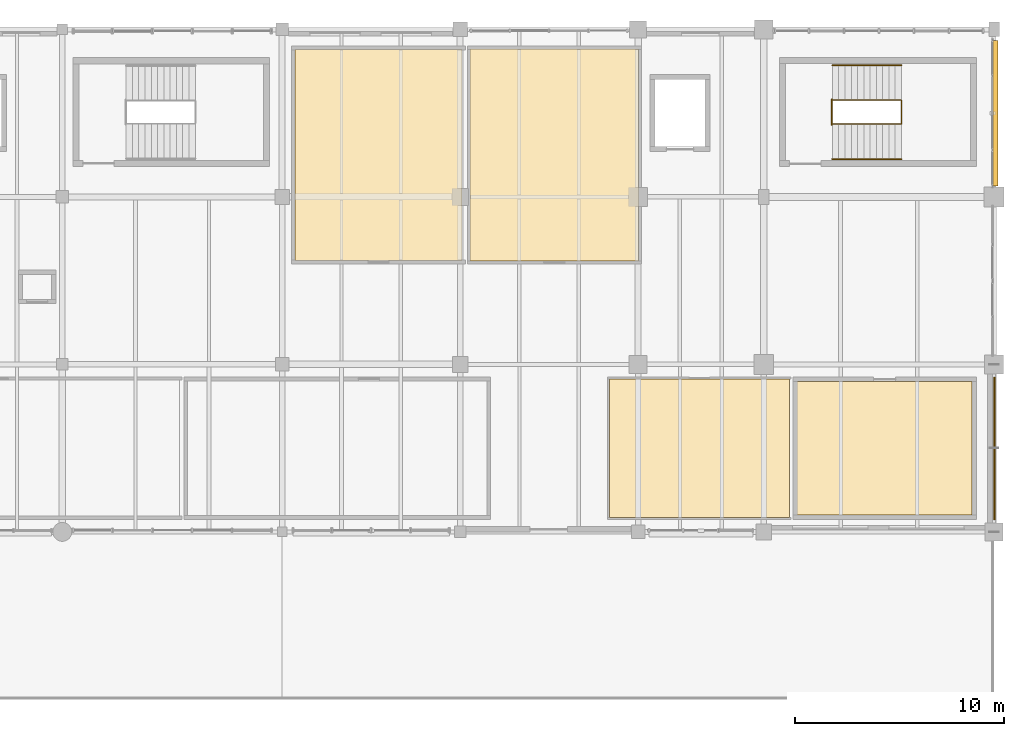
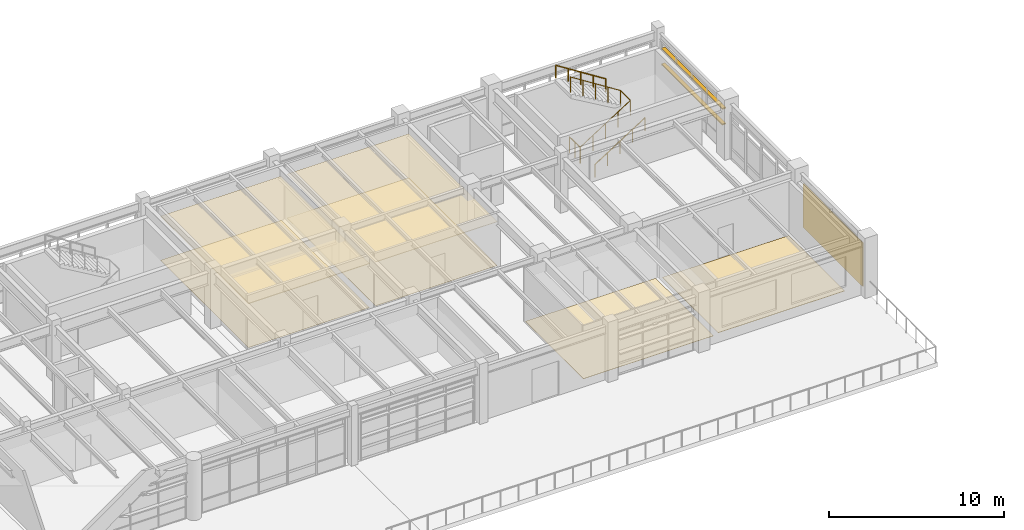
# One storey, part 56 of 56: 7 coverings, 4 railings, 2 shading devices.
"""IFC4 building model written with IfcOpenShell, lengths in metres."""

from ifc_helpers import new_model, si_unit, direction, frame, origin, origin_2d, place, context, subcontext, project, spatial, polyline, rectangle, circle, outline, extrude, material, layer, layer_set, type_object, element, save


model = new_model("IFC4")

# Units and contexts
model_context = context("Model", 3, precision=1e-05, world=origin(), true_north=direction((0.0, 1.0)))
body_context = subcontext(model_context, "Body", "Model", "MODEL_VIEW")
ifc_project = project(units=[si_unit("LENGTHUNIT", "METRE"), si_unit("AREAUNIT", "SQUARE_METRE"), si_unit("VOLUMEUNIT", "CUBIC_METRE"), si_unit("PLANEANGLEUNIT", "RADIAN"), si_unit("MASSUNIT", "GRAM", prefix="KILO"), si_unit("THERMODYNAMICTEMPERATUREUNIT", "KELVIN"), si_unit("POWERUNIT", "WATT")], contexts=[model_context])

# Site, building, storey
site_placement = place(None, origin())
site = spatial("IfcSite", under=ifc_project, at=site_placement, CompositionType="ELEMENT")
building_placement = place(site_placement, origin())
building = spatial("IfcBuilding", under=site, at=building_placement, Name="Tepalcoro Natatorium and Aquatics Centre", CompositionType="ELEMENT")
storey_placement = place(building_placement, frame((0.0, 0.0, 14.800048828125)))
storey = spatial("IfcBuildingStorey", under=building, at=storey_placement, Name="L03", CompositionType="ELEMENT", Elevation=14.800048828125)

# Coverings
ifc_material_1 = material(Name="Jalisco Cantera Rosa Volcanic Tuff Ashlar Masonry", Category="masonry")
ifc_layer_1 = layer(ifc_material_1, 0.06005859375)
ifc_layer_set_1 = layer_set([ifc_layer_1], Name="Jalisco Cantera Rosa Volcanic Tuff Ashlar Masonry")
covering_type_1 = type_object("IfcCoveringType", Name="CD_CANTERA_60", PredefinedType="CLADDING", material=ifc_layer_set_1)
covering_1_placement = place(storey_placement, frame((176.02490234375, 97.987548828125, 0.10009765625), z_axis=(0.0, 0.0, 1.0), x_axis=(1.0, 0.0, 0.0)))
element("IfcCovering", 1, at=covering_1_placement, inside=storey, type_object=covering_type_1, Name="Volcanic Stone Facade Cladding CD_CANTERA_60", PredefinedType="CLADDING", context=body_context, shape_type="SweptSolid", body=[
    extrude(rectangle(XDim=0.06005859375, YDim=6.81689453125, at=origin_2d()), origin(), (0.0, 0.0, 1.0), 3.053955078125),
])
ifc_material_2 = material(Name="Perforated Corrosion-Resistant Acoustic Aluminium Baffle Ceiling", Category="aluminium")
ifc_layer_2 = layer(ifc_material_2, 0.044921875)
ifc_layer_set_2 = layer_set([ifc_layer_2], Name="Perforated Corrosion-Resistant Acoustic Aluminium Baffle Ceiling")
covering_type_2 = type_object("IfcCoveringType", Name="CL_BAFFLE_120", PredefinedType="CEILING", material=ifc_layer_set_2)
covering_2_placement = place(storey_placement, frame((0.0, 0.0, 3.050048828125)))
element("IfcCovering", 2, at=covering_2_placement, inside=storey, type_object=covering_type_2, Name="Research Fellows Workspace & Data Seminar Room Suspended Ceiling", PredefinedType="CEILING", context=body_context, shape_type="SweptSolid", body=[
    extrude(outline(polyline([(142.610107421875, 106.969970703125), (142.610107421875, 117.030029296875), (150.590087890625, 117.030029296875), (150.590087890625, 106.969970703125), (142.610107421875, 106.969970703125)])), origin(), (0.0, 0.0, 1.0), 0.044921875),
])
ifc_material_3 = material(Name="Moisture-Resistant Acoustic Gypsum Drywall on Cold-Formed Metal Studs")
ifc_layer_3 = layer(ifc_material_3, 0.030029296875)
ifc_layer_set_3 = layer_set([ifc_layer_3], Name="Moisture-Resistant Acoustic Gypsum Drywall on Cold-Formed Metal Studs")
covering_type_3 = type_object("IfcCoveringType", Name="CL_GYPSUM_30", PredefinedType="CEILING", material=ifc_layer_set_3)
covering_3_placement = place(storey_placement, frame((0.0, 0.0, 3.050048828125)))
element("IfcCovering", 3, at=covering_3_placement, inside=storey, type_object=covering_type_3, Name="Calibration & Biomedical Instrument Store Suspended Ceiling", PredefinedType="CEILING", context=body_context, shape_type="SweptSolid", body=[
    extrude(outline(polyline([(150.97998046875, 106.93994140625), (150.97998046875, 117.06005859375), (159.02001953125, 117.06005859375), (159.02001953125, 106.93994140625), (150.97998046875, 106.93994140625)])), origin(), (0.0, 0.0, 1.0), 0.02978515625),
])
ifc_material_4 = material(Name="Shock-Absorbing Vulcanised Athletic Rubber Flooring")
ifc_layer_4 = layer(ifc_material_4, 0.010009765625)
ifc_layer_set_4 = layer_set([ifc_layer_4], Name="Shock-Absorbing Vulcanised Athletic Rubber Flooring")
covering_type_4 = type_object("IfcCoveringType", Name="FL_CARPET_10", PredefinedType="FLOORING", material=ifc_layer_set_4)
covering_4_placement = place(storey_placement, origin())
element("IfcCovering", 4, at=covering_4_placement, inside=storey, type_object=covering_type_4, Name="Calibration & Biomedical Instrument Store Floor Finish", PredefinedType="FLOORING", context=body_context, shape_type="SweptSolid", body=[
    extrude(outline(polyline([(150.97998046875, 106.93994140625), (150.97998046875, 117.06005859375), (159.02001953125, 117.06005859375), (159.02001953125, 106.93994140625), (150.97998046875, 106.93994140625)])), origin(), (0.0, 0.0, 1.0), 0.010009765625),
])
ifc_material_5 = material(Name="Slip-Resistant Porcelain Aquatic Deck Tile")
ifc_layer_5 = layer(ifc_material_5, 0.02197265625)
ifc_layer_set_5 = layer_set([ifc_layer_5], Name="Slip-Resistant Porcelain Aquatic Deck Tile")
covering_type_5 = type_object("IfcCoveringType", Name="FL_DECK_TILE_22", PredefinedType="FLOORING", material=ifc_layer_set_5)
covering_5_placement = place(storey_placement, origin())
element("IfcCovering", 5, at=covering_5_placement, inside=storey, type_object=covering_type_5, Name="Sports Nutrition Teaching Kitchen & Dining Studio Floor Finish", PredefinedType="FLOORING", context=body_context, shape_type="SweptSolid", body=[
    extrude(outline(polyline([(157.6298828125, 94.68994140625), (157.6298828125, 101.31005859375), (166.219970703125, 101.31005859375), (166.219970703125, 94.68994140625), (157.6298828125, 94.68994140625)])), origin(), (0.0, 0.0, 1.0), 0.02197265625),
])
ifc_material_6 = material(Name="Chemical-Resistant Quartz-Broadcast Epoxy Flooring")
ifc_layer_6 = layer(ifc_material_6, 0.008056640625)
ifc_layer_set_6 = layer_set([ifc_layer_6], Name="Chemical-Resistant Quartz-Broadcast Epoxy Flooring")
covering_type_6 = type_object("IfcCoveringType", Name="FL_EPOXY_8", PredefinedType="FLOORING", material=ifc_layer_set_6)
covering_6_placement = place(storey_placement, origin())
element("IfcCovering", 6, at=covering_6_placement, inside=storey, type_object=covering_type_6, Name="Research Fellows Workspace & Data Seminar Room Floor Finish", PredefinedType="FLOORING", context=body_context, shape_type="SweptSolid", body=[
    extrude(outline(polyline([(142.610107421875, 106.969970703125), (142.610107421875, 117.030029296875), (150.590087890625, 117.030029296875), (150.590087890625, 106.969970703125), (142.610107421875, 106.969970703125)])), origin(), (0.0, 0.0, 1.0), 0.008056640625),
])
ifc_material_7 = material(Name="Sprung Maple Sports Floor Assembly")
ifc_layer_7 = layer(ifc_material_7, 0.02392578125)
ifc_layer_set_7 = layer_set([ifc_layer_7], Name="Sprung Maple Sports Floor Assembly")
covering_type_7 = type_object("IfcCoveringType", Name="FL_WOOD_22", PredefinedType="FLOORING", material=ifc_layer_set_7)
covering_7_placement = place(storey_placement, origin())
element("IfcCovering", 7, at=covering_7_placement, inside=storey, type_object=covering_type_7, Name="L03 Sports Science Male/Female & Accessible WC Floor Finish", PredefinedType="FLOORING", context=body_context, shape_type="SweptSolid", body=[
    extrude(outline(polyline([(166.60009765625, 94.81005859375), (166.60009765625, 101.18994140625), (174.949951171875, 101.18994140625), (174.949951171875, 94.81005859375), (166.60009765625, 94.81005859375)])), origin(), (0.0, 0.0, 1.0), 0.02392578125),
])

# Railings
ifc_material_8 = material(Name="Bronze-Anodised Extruded Aluminium Alloy EN AW-6063 T6", Category="aluminium")
railing_type_1 = type_object("IfcRailingType", Name="RL_HAND_900_BRZ", PredefinedType="HANDRAIL", material=ifc_material_8)
railing_1_placement = place(storey_placement, frame((168.280029296875, 111.81005859375, 0.0)))
element("IfcRailing", 8, at=railing_1_placement, inside=storey, type_object=railing_type_1, Name="ST10-L03 Wall Handrail F1", PredefinedType="HANDRAIL", context=body_context, shape_type="SweptSolid", body=[
    extrude(circle(Radius=0.02392578125, at=origin_2d()), frame((0.0, 0.0, 0.8759765625), z_axis=(0.843682047799, 0.0, 0.53684318215), x_axis=(0.0, 1.0, 0.0)), (0.0, 0.0, 1.0), 3.911376953125),
    extrude(circle(Radius=0.02099609375, at=origin_2d()), origin(), (0.0, 0.0, 1.0), 0.851806640625),
    extrude(circle(Radius=0.02099609375, at=origin_2d()), frame((0.824951171875, 0.0, 0.52490234375)), (0.0, 0.0, 1.0), 0.851806640625),
    extrude(circle(Radius=0.02099609375, at=origin_2d()), frame((1.64990234375, 0.0, 1.0498046875)), (0.0, 0.0, 1.0), 0.851806640625),
    extrude(circle(Radius=0.02099609375, at=origin_2d()), frame((2.47509765625, 0.0, 1.574951171875)), (0.0, 0.0, 1.0), 0.851806640625),
    extrude(circle(Radius=0.02099609375, at=origin_2d()), frame((3.300048828125, 0.0, 2.099853515625)), (0.0, 0.0, 1.0), 0.851806640625),
])
railing_2_placement = place(storey_placement, frame((171.580078125, 116.2900390625, 2.099853515625)))
element("IfcRailing", 9, at=railing_2_placement, inside=storey, type_object=railing_type_1, Name="ST10-L03 Wall Handrail F2", PredefinedType="HANDRAIL", context=body_context, shape_type="SweptSolid", body=[
    extrude(circle(Radius=0.02392578125, at=origin_2d()), frame((0.0, 0.0, 0.8759765625), z_axis=(-0.843653777646, 0.0, 0.53688760785), x_axis=(0.0, -1.0, 0.0)), (0.0, 0.0, 1.0), 3.91162109375),
    extrude(circle(Radius=0.02099609375, at=origin_2d()), origin(), (0.0, 0.0, 1.0), 0.851806640625),
    extrude(circle(Radius=0.02099609375, at=origin_2d()), frame((-0.824951171875, 0.0, 0.52490234375)), (0.0, 0.0, 1.0), 0.851806640625),
    extrude(circle(Radius=0.02099609375, at=origin_2d()), frame((-1.64990234375, 0.0, 1.050048828125)), (0.0, 0.0, 1.0), 0.851806640625),
    extrude(circle(Radius=0.02099609375, at=origin_2d()), frame((-2.47509765625, 0.0, 1.5751953125)), (0.0, 0.0, 1.0), 0.851806640625),
    extrude(circle(Radius=0.02099609375, at=origin_2d()), frame((-3.300048828125, 0.0, 2.10009765625)), (0.0, 0.0, 1.0), 0.851806640625),
])
ifc_material_9 = material(Name="Marine-Grade Brushed Stainless Steel AISI 316L", Category="steel")
railing_type_2 = type_object("IfcRailingType", Name="RL_SS_1100", PredefinedType="GUARDRAIL", material=ifc_material_9)
railing_3_placement = place(storey_placement, frame((168.280029296875, 113.47998046875, 0.0)))
element("IfcRailing", 10, at=railing_3_placement, inside=storey, type_object=railing_type_2, Name="ST10-L03 Inner Stairwell Guardrail", PredefinedType="GUARDRAIL", context=body_context, shape_type="SweptSolid", body=[
    extrude(circle(Radius=0.02392578125, at=origin_2d()), frame((0.0, 0.0, 1.076171875), z_axis=(0.843682047799, 0.0, 0.53684318215), x_axis=(0.0, 1.0, 0.0)), (0.0, 0.0, 1.0), 3.911376953125),
    extrude(circle(Radius=0.02392578125, at=origin_2d()), frame((3.300048828125, 0.0, 3.17578125), z_axis=(0.0, 1.0, 0.0), x_axis=(-1.0, 0.0, 0.0)), (0.0, 0.0, 1.0), 1.14013671875),
    extrude(circle(Radius=0.02392578125, at=origin_2d()), frame((3.300048828125, 1.14013671875, 3.17578125), z_axis=(-0.843653777646, 0.0, 0.53688760785), x_axis=(0.0, -1.0, 0.0)), (0.0, 0.0, 1.0), 3.91162109375),
    extrude(circle(Radius=0.02099609375, at=origin_2d()), origin(), (0.0, 0.0, 1.0), 1.052001953125),
    extrude(circle(Radius=0.02099609375, at=origin_2d()), frame((0.824951171875, 0.0, 0.52490234375)), (0.0, 0.0, 1.0), 1.052001953125),
    extrude(circle(Radius=0.02099609375, at=origin_2d()), frame((1.64990234375, 0.0, 1.0498046875)), (0.0, 0.0, 1.0), 1.052001953125),
    extrude(circle(Radius=0.02099609375, at=origin_2d()), frame((2.47509765625, 0.0, 1.574951171875)), (0.0, 0.0, 1.0), 1.052001953125),
    extrude(circle(Radius=0.02099609375, at=origin_2d()), frame((3.300048828125, 0.0, 2.099853515625)), (0.0, 0.0, 1.0), 1.052001953125),
    extrude(circle(Radius=0.02099609375, at=origin_2d()), frame((3.300048828125, 1.14013671875, 2.099853515625)), (0.0, 0.0, 1.0), 1.052001953125),
    extrude(circle(Radius=0.02099609375, at=origin_2d()), frame((2.47509765625, 1.14013671875, 2.625)), (0.0, 0.0, 1.0), 1.052001953125),
    extrude(circle(Radius=0.02099609375, at=origin_2d()), frame((1.64990234375, 1.14013671875, 3.14990234375)), (0.0, 0.0, 1.0), 1.052001953125),
    extrude(circle(Radius=0.02099609375, at=origin_2d()), frame((0.824951171875, 1.14013671875, 3.6748046875)), (0.0, 0.0, 1.0), 1.052001953125),
    extrude(circle(Radius=0.02099609375, at=origin_2d()), frame((0.0, 1.14013671875, 4.199951171875)), (0.0, 0.0, 1.0), 1.052001953125),
])
railing_4_placement = place(storey_placement, frame((168.25, 113.43994140625, 0.0)))
element("IfcRailing", 11, at=railing_4_placement, inside=storey, type_object=railing_type_2, Name="ST10-L03 Landing Well Slot Guard", PredefinedType="GUARDRAIL", context=body_context, shape_type="SweptSolid", body=[
    extrude(circle(Radius=0.02392578125, at=origin_2d()), frame((0.0, 0.0, 1.076171875), z_axis=(0.0, 1.0, 0.0), x_axis=(-1.0, 0.0, 0.0)), (0.0, 0.0, 1.0), 1.219970703125),
    extrude(circle(Radius=0.02099609375, at=origin_2d()), origin(), (0.0, 0.0, 1.0), 1.052001953125),
    extrude(circle(Radius=0.02099609375, at=origin_2d()), frame((0.0, 0.60986328125, 0.0)), (0.0, 0.0, 1.0), 1.052001953125),
    extrude(circle(Radius=0.02099609375, at=origin_2d()), frame((0.0, 1.219970703125, 0.0)), (0.0, 0.0, 1.0), 1.052001953125),
])

# Shading devices
shading_device_type = type_object("IfcShadingDeviceType", Name="SHD_LOUVRE_AL", PredefinedType="JALOUSIE", material=ifc_material_8)
for number, where, z_axis, x_axis, name in (
    (12, (176.058837890625, 114.0, 1.70068359375), (0.0, 0.0, 1.0), (1.0, 0.0, 0.0), "Solar Shading Brise-Soleil SHD_LOUVRE_AL"),
    (13, (176.058837890625, 114.0, 2.796630859375), (0.0, 0.0, 1.0), (1.0, 0.0, 0.0), "Solar Shading Brise-Soleil SHD_LOUVRE_AL"),
):
    element("IfcShadingDevice", number, at=place(storey_placement, frame(where, z_axis=z_axis, x_axis=x_axis)), inside=storey, type_object=shading_device_type, Name=name, PredefinedType="JALOUSIE", context=body_context, shape_type="SweptSolid", body=[
        extrude(rectangle(XDim=0.239990234375, YDim=6.9599609375, at=origin_2d()), origin(), (0.0, 0.0, 1.0), 0.080078125),
    ])

save(model, "model.ifc")
